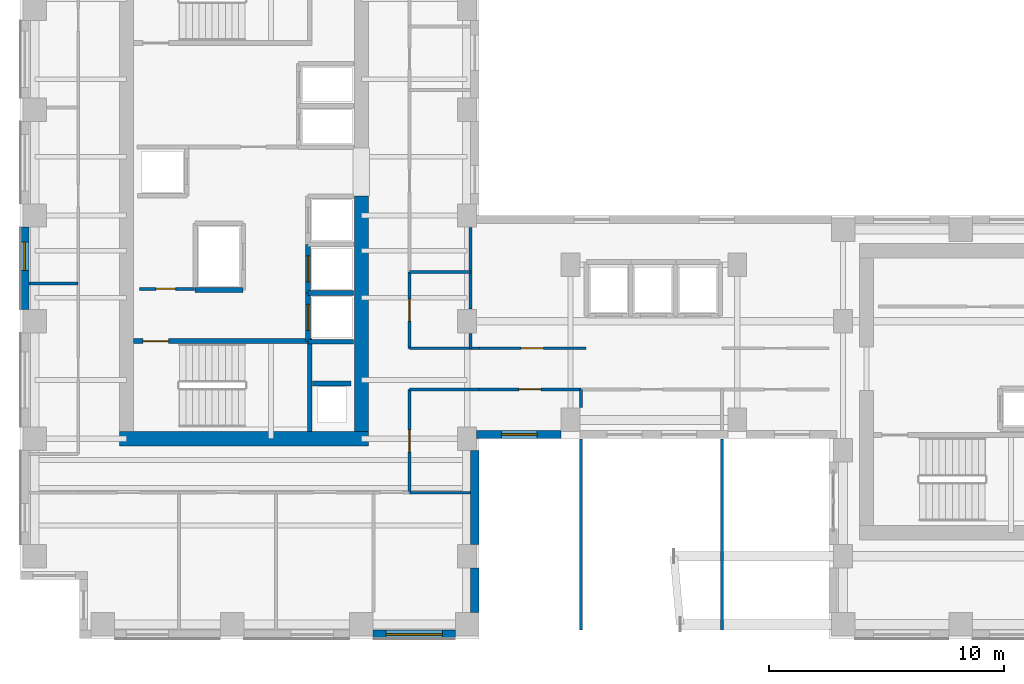
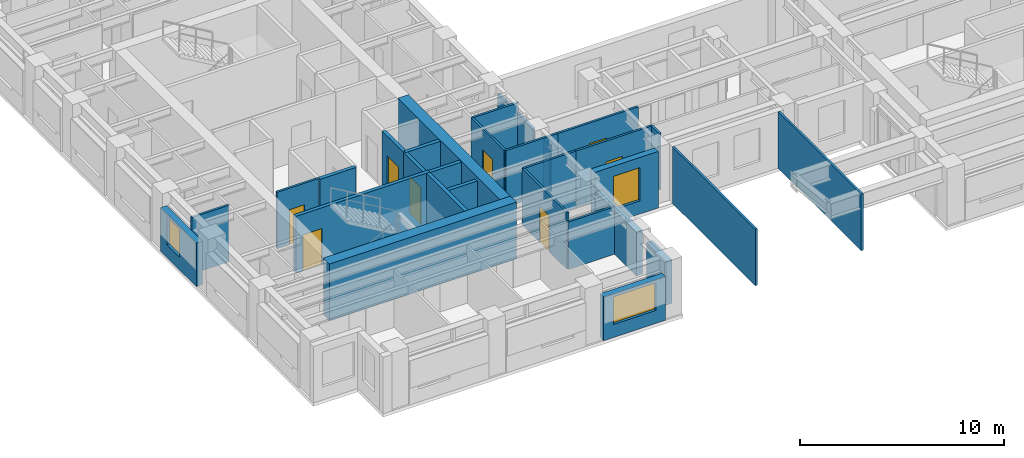
# One storey, part 6 of 13: 30 walls, 8 doors, 3 windows, 11 openings.
"""IFC4 building model written with IfcOpenShell, lengths in metres."""

from ifc_helpers import new_model, si_unit, direction, frame, frame_2d, origin, place, context, subcontext, project, spatial, rectangle, extrude, source, transform, mapped, material, layer, layer_set, type_object, element, fill, save


model = new_model("IFC4")

# Units and contexts
model_context = context("Model", 3, precision=1e-05, world=origin(), true_north=direction((0.0, 1.0)))
body_context = subcontext(model_context, "Body", "Model", "MODEL_VIEW")
ifc_project = project(units=[si_unit("LENGTHUNIT", "METRE"), si_unit("AREAUNIT", "SQUARE_METRE"), si_unit("VOLUMEUNIT", "CUBIC_METRE"), si_unit("PLANEANGLEUNIT", "RADIAN"), si_unit("MASSUNIT", "GRAM", prefix="KILO")], contexts=[model_context])

# Site, building, storey
site_placement = place(None, origin())
site = spatial("IfcSite", under=ifc_project, at=site_placement, CompositionType="ELEMENT")
building_placement = place(site_placement, origin())
building = spatial("IfcBuilding", under=site, at=building_placement, Name="Kharzan Plaza Tower", CompositionType="ELEMENT")
storey_placement = place(building_placement, frame((0.0, 0.0, 189.89990234375)))
storey = spatial("IfcBuildingStorey", under=building, at=storey_placement, Name="L51", CompositionType="ELEMENT", Elevation=189.89990234375)

# Wall, opening, window
ifc_material_1 = material(Name="Concrete C40/50", Category="concrete")
ifc_layer_1 = layer(ifc_material_1, 0.35009765625)
ifc_layer_set_1 = layer_set([ifc_layer_1], Name="Concrete C40/50")
wall_type_1 = type_object("IfcWallType", Name="WL-EXT-MAS-Z3", PredefinedType="SOLIDWALL", material=ifc_layer_set_1)
wall_1_placement = place(storey_placement, frame((0.175048828125, 17.501953125, 0.0), z_axis=(0.0, 0.0, 1.0), x_axis=(0.0, -1.0, 0.0)))
wall_1 = element("IfcWall", 1, at=wall_1_placement, inside=storey, type_object=wall_type_1, Name="L51 Masonry-Frame Exterior Wall 15", PredefinedType="SOLIDWALL", context=body_context, shape_type="SweptSolid", body=[
    extrude(rectangle(XDim=3.50390625, YDim=0.35009765625, at=frame_2d((1.751953125, 0.0))), origin(), (0.0, 0.0, 1.0), 2.612060546875),
])
opening_1_placement = place(wall_1_placement, frame((0.635986328125, 0.0, 0.780029296875)))
opening_1 = element("IfcOpeningElement", 2, at=opening_1_placement, cuts=wall_1, Name="Opening W3", PredefinedType="OPENING", context=body_context, shape_type="SweptSolid", body=[
    extrude(rectangle(XDim=1.199951171875, YDim=1.652099609375, at=frame_2d((0.60009765625, 0.826171875))), frame((0.0, 0.18505859375, 0.0), z_axis=(0.0, -1.0, 0.0), x_axis=(1.0, 0.0, 0.0)), (0.0, 0.0, 1.0), 0.3701171875),
])
ifc_material_2 = material(Name="Low-E Double Glazing", Category="glass")
window_type_1 = type_object("IfcWindowType", Name="WN-REC-1200x2100", PartitioningType="SINGLE_PANEL", PredefinedType="WINDOW", material=ifc_material_2)
shared_shape_1 = source(origin(), body_context, "Body", "SweptSolid", [
    extrude(rectangle(XDim=1.199951171875, YDim=1.652099609375, at=frame_2d((0.60009765625, 0.826171875))), frame((0.0, 0.030029296875, 0.0), z_axis=(0.0, -1.0, 0.0), x_axis=(1.0, 0.0, 0.0)), (0.0, 0.0, 1.0), 0.06005859375),
])
window_1_placement = place(opening_1_placement, origin())
window_1 = element("IfcWindow", 3, at=window_1_placement, inside=storey, type_object=window_type_1, Name="L51 Recessed Solar-Control Window 15-1", OverallHeight=1.652099609375, OverallWidth=1.199951171875, PartitioningType="SINGLE_PANEL", PredefinedType="WINDOW", context=body_context, shape_type="MappedRepresentation", body=[
    mapped(shared_shape_1, transform((0.0, 0.0, 0.0), x_axis=(1.0, 0.0, 0.0), y_axis=(0.0, 1.0, 0.0), z_axis=(0.0, 0.0, 1.0))),
])
fill(opening_1, window_1)

wall_2_placement = place(storey_placement, frame((14.998046875, 0.175048828125, 0.0), z_axis=(0.0, 0.0, 1.0), x_axis=(1.0, 0.0, 0.0)))
wall_2 = element("IfcWall", 4, at=wall_2_placement, inside=storey, type_object=wall_type_1, Name="L51 Masonry-Frame Exterior Wall 23", PredefinedType="SOLIDWALL", context=body_context, shape_type="SweptSolid", body=[
    extrude(rectangle(XDim=3.50390625, YDim=0.35009765625, at=frame_2d((1.751953125, 0.0))), origin(), (0.0, 0.0, 1.0), 2.612060546875),
])
opening_2_placement = place(wall_2_placement, frame((0.552001953125, 0.0, 0.780029296875)))
opening_2 = element("IfcOpeningElement", 5, at=opening_2_placement, cuts=wall_2, Name="Opening W2", PredefinedType="OPENING", context=body_context, shape_type="SweptSolid", body=[
    extrude(rectangle(XDim=2.39990234375, YDim=1.652099609375, at=frame_2d((1.199951171875, 0.826171875))), frame((0.0, 0.18505859375, 0.0), z_axis=(0.0, -1.0, 0.0), x_axis=(1.0, 0.0, 0.0)), (0.0, 0.0, 1.0), 0.3701171875),
])
window_type_2 = type_object("IfcWindowType", Name="WN-REC-2400x2100", PartitioningType="SINGLE_PANEL", PredefinedType="WINDOW", material=ifc_material_2)
shared_shape_2 = source(origin(), body_context, "Body", "SweptSolid", [
    extrude(rectangle(XDim=2.39990234375, YDim=1.652099609375, at=frame_2d((1.199951171875, 0.826171875))), frame((0.0, 0.030029296875, 0.0), z_axis=(0.0, -1.0, 0.0), x_axis=(1.0, 0.0, 0.0)), (0.0, 0.0, 1.0), 0.06005859375),
])
window_2_placement = place(opening_2_placement, origin())
window_2 = element("IfcWindow", 6, at=window_2_placement, inside=storey, type_object=window_type_2, Name="L51 Wide Recessed Solar-Control Window 23-1", OverallHeight=1.652099609375, OverallWidth=2.39990234375, PartitioningType="SINGLE_PANEL", PredefinedType="WINDOW", context=body_context, shape_type="MappedRepresentation", body=[
    mapped(shared_shape_2, transform((0.0, 0.0, 0.0), x_axis=(1.0, 0.0, 0.0), y_axis=(0.0, 1.0, 0.0), z_axis=(0.0, 0.0, 1.0))),
])
fill(opening_2, window_2)

wall_3_placement = place(storey_placement, frame((19.39794921875, 8.675048828125, 0.0), z_axis=(0.0, 0.0, 1.0), x_axis=(1.0, 0.0, 0.0)))
wall_3 = element("IfcWall", 7, at=wall_3_placement, inside=storey, type_object=wall_type_1, Name="L51 Masonry-Frame Exterior Wall 26", PredefinedType="SOLIDWALL", context=body_context, shape_type="SweptSolid", body=[
    extrude(rectangle(XDim=3.60400390625, YDim=0.35009765625, at=frame_2d((1.802001953125, 0.0))), origin(), (0.0, 0.0, 1.0), 3.385009765625),
])
opening_3_placement = place(wall_3_placement, frame((1.067138671875, 0.0, 0.780029296875)))
opening_3 = element("IfcOpeningElement", 8, at=opening_3_placement, cuts=wall_3, Name="Opening W5", PredefinedType="OPENING", context=body_context, shape_type="SweptSolid", body=[
    extrude(rectangle(XDim=1.5, YDim=2.0, at=frame_2d((0.75, 1.0))), frame((0.0, 0.18505859375, 0.0), z_axis=(0.0, -1.0, 0.0), x_axis=(1.0, 0.0, 0.0)), (0.0, 0.0, 1.0), 0.3701171875),
])
window_type_3 = type_object("IfcWindowType", Name="WN-SLT-1500x2000", PartitioningType="SINGLE_PANEL", PredefinedType="WINDOW", material=ifc_material_2)
shared_shape_3 = source(origin(), body_context, "Body", "SweptSolid", [
    extrude(rectangle(XDim=1.5, YDim=2.0, at=frame_2d((0.75, 1.0))), frame((0.0, 0.030029296875, 0.0), z_axis=(0.0, -1.0, 0.0), x_axis=(1.0, 0.0, 0.0)), (0.0, 0.0, 1.0), 0.06005859375),
])
window_3_placement = place(opening_3_placement, origin())
window_3 = element("IfcWindow", 9, at=window_3_placement, inside=storey, type_object=window_type_3, Name="L51 Recessed Solar-Control Window 26-1", OverallHeight=2.0, OverallWidth=1.5, PartitioningType="SINGLE_PANEL", PredefinedType="WINDOW", context=body_context, shape_type="MappedRepresentation", body=[
    mapped(shared_shape_3, transform((0.0, 0.0, 0.0), x_axis=(1.0, 0.0, 0.0), y_axis=(0.0, 1.0, 0.0), z_axis=(0.0, 0.0, 1.0))),
])
fill(opening_3, window_3)

# Wall, opening, door
ifc_material_3 = material(Name="Fire-Rated Gypsum Board Partition", Category="gypsum")
ifc_layer_2 = layer(ifc_material_3, 0.125)
ifc_layer_set_2 = layer_set([ifc_layer_2], Name="Fire-Rated Gypsum Board Partition")
wall_type_2 = type_object("IfcWallType", Name="WL-INT-PART-125", PredefinedType="PARTITIONING", material=ifc_layer_set_2)
wall_4_placement = place(storey_placement, frame((5.050048828125, 14.8798828125, 0.0), z_axis=(0.0, 0.0, 1.0), x_axis=(1.0, 0.0, 0.0)))
wall_4 = element("IfcWall", 10, at=wall_4_placement, inside=storey, type_object=wall_type_2, Name="L51 Interior Partition CA-K0", PredefinedType="PARTITIONING", context=body_context, shape_type="SweptSolid", body=[
    extrude(rectangle(XDim=2.349853515625, YDim=0.125, at=frame_2d((1.1748046875, 0.0))), origin(), (0.0, 0.0, 1.0), 3.385009765625),
])
opening_4_placement = place(wall_4_placement, frame((0.699951171875, 0.0, 0.0)))
opening_4 = element("IfcOpeningElement", 11, at=opening_4_placement, cuts=wall_4, Name="Opening RD1", PredefinedType="OPENING", context=body_context, shape_type="SweptSolid", body=[
    extrude(rectangle(XDim=0.85009765625, YDim=2.10009765625, at=frame_2d((0.425048828125, 1.050048828125))), frame((0.0, 0.072509765625, 0.0), z_axis=(0.0, -1.0, 0.0), x_axis=(1.0, 0.0, 0.0)), (0.0, 0.0, 1.0), 0.14501953125),
])
ifc_material_4 = material(Name="Powder-Coated Fire-Rated Steel", Category="steel")
door_type_1 = type_object("IfcDoorType", Name="DR-RISER-900", OperationType="NOTDEFINED", PredefinedType="DOOR", material=ifc_material_4)
shared_shape_4 = source(origin(), body_context, "Body", "SweptSolid", [
    extrude(rectangle(XDim=0.85009765625, YDim=2.10009765625, at=frame_2d((0.425048828125, 1.050048828125))), frame((0.0, 0.02490234375, 0.0), z_axis=(0.0, -1.0, 0.0), x_axis=(1.0, 0.0, 0.0)), (0.0, 0.0, 1.0), 0.050048828125),
])
door_1_placement = place(opening_4_placement, origin())
door_1 = element("IfcDoor", 12, at=door_1_placement, inside=storey, type_object=door_type_1, Name="L51 Cleaners Store Door", OperationType="SINGLE_SWING_LEFT", OverallHeight=2.10009765625, OverallWidth=0.85009765625, PredefinedType="DOOR", context=body_context, shape_type="MappedRepresentation", body=[
    mapped(shared_shape_4, transform((0.0, 0.0, 0.0), x_axis=(1.0, 0.0, 0.0), y_axis=(0.0, 1.0, 0.0), z_axis=(0.0, 0.0, 1.0))),
])
fill(opening_4, door_1)

wall_5_placement = place(storey_placement, frame((16.550048828125, 12.35009765625, 0.0), z_axis=(0.0, 0.0, 1.0), x_axis=(0.0, 1.0, 0.0)))
wall_5 = element("IfcWall", 13, at=wall_5_placement, inside=storey, type_object=wall_type_2, Name="L51 Interior Partition SH-AEWN1", PredefinedType="PARTITIONING", context=body_context, shape_type="SweptSolid", body=[
    extrude(rectangle(XDim=3.25, YDim=0.125, at=frame_2d((1.625, 0.0))), origin(), (0.0, 0.0, 1.0), 3.385009765625),
])
opening_5_placement = place(wall_5_placement, frame((1.14990234375, 0.0, 0.0)))
opening_5 = element("IfcOpeningElement", 14, at=opening_5_placement, cuts=wall_5, Name="Opening OD1", PredefinedType="OPENING", context=body_context, shape_type="SweptSolid", body=[
    extrude(rectangle(XDim=0.949951171875, YDim=2.14990234375, at=frame_2d((0.47509765625, 1.074951171875))), frame((0.0, 0.072509765625, 0.0), z_axis=(0.0, -1.0, 0.0), x_axis=(1.0, 0.0, 0.0)), (0.0, 0.0, 1.0), 0.14501953125),
])
ifc_material_5 = material(Name="Acoustic Solid-Core Stained Oak", Category="timber")
door_type_2 = type_object("IfcDoorType", Name="DR-OFF-SINGLE", OperationType="NOTDEFINED", PredefinedType="DOOR", material=ifc_material_5)
shared_shape_5 = source(origin(), body_context, "Body", "SweptSolid", [
    extrude(rectangle(XDim=0.949951171875, YDim=2.14990234375, at=frame_2d((0.47509765625, 1.074951171875))), frame((0.0, 0.02490234375, 0.0), z_axis=(0.0, -1.0, 0.0), x_axis=(1.0, 0.0, 0.0)), (0.0, 0.0, 1.0), 0.050048828125),
])
door_2_placement = place(opening_5_placement, origin())
door_2 = element("IfcDoor", 15, at=door_2_placement, inside=storey, type_object=door_type_2, Name="L51 Slot Collaboration Door", OperationType="SINGLE_SWING_LEFT", OverallHeight=2.14990234375, OverallWidth=0.949951171875, PredefinedType="DOOR", context=body_context, shape_type="MappedRepresentation", body=[
    mapped(shared_shape_5, transform((0.0, 0.0, 0.0), x_axis=(1.0, 0.0, 0.0), y_axis=(0.0, 1.0, 0.0), z_axis=(0.0, 0.0, 1.0))),
])
fill(opening_5, door_2)

wall_6_placement = place(storey_placement, frame((16.550048828125, 6.199951171875, 0.0), z_axis=(0.0, 0.0, 1.0), x_axis=(0.0, 1.0, 0.0)))
wall_6 = element("IfcWall", 16, at=wall_6_placement, inside=storey, type_object=wall_type_2, Name="L51 Interior Partition SH-AEWS", PredefinedType="PARTITIONING", context=body_context, shape_type="SweptSolid", body=[
    extrude(rectangle(XDim=4.400146484375, YDim=0.125, at=frame_2d((2.2001953125, 0.0))), origin(), (0.0, 0.0, 1.0), 3.385009765625),
])
opening_6_placement = place(wall_6_placement, frame((1.72509765625, 0.0, 0.0)))
opening_6 = element("IfcOpeningElement", 17, at=opening_6_placement, cuts=wall_6, Name="Opening OD1", PredefinedType="OPENING", context=body_context, shape_type="SweptSolid", body=[
    extrude(rectangle(XDim=0.949951171875, YDim=2.14990234375, at=frame_2d((0.47509765625, 1.074951171875))), frame((0.0, 0.072509765625, 0.0), z_axis=(0.0, -1.0, 0.0), x_axis=(1.0, 0.0, 0.0)), (0.0, 0.0, 1.0), 0.14501953125),
])
door_3_placement = place(opening_6_placement, origin())
door_3 = element("IfcDoor", 18, at=door_3_placement, inside=storey, type_object=door_type_2, Name="L51 Slot South Office Door", OperationType="SINGLE_SWING_RIGHT", OverallHeight=2.14990234375, OverallWidth=0.949951171875, PredefinedType="DOOR", context=body_context, shape_type="MappedRepresentation", body=[
    mapped(shared_shape_5, transform((0.0, 0.0, 0.0), x_axis=(1.0, 0.0, 0.0), y_axis=(0.0, 1.0, 0.0), z_axis=(0.0, 0.0, 1.0))),
])
fill(opening_6, door_3)

wall_7_placement = place(storey_placement, frame((19.5, 12.35009765625, 0.0), z_axis=(0.0, 0.0, 1.0), x_axis=(1.0, 0.0, 0.0)))
wall_7 = element("IfcWall", 19, at=wall_7_placement, inside=storey, type_object=wall_type_2, Name="L51 Interior Partition SH-SPNW1", PredefinedType="PARTITIONING", context=body_context, shape_type="SweptSolid", body=[
    extrude(rectangle(XDim=4.550048828125, YDim=0.125, at=frame_2d((2.27490234375, 0.0))), origin(), (0.0, 0.0, 1.0), 3.385009765625),
])
opening_7_placement = place(wall_7_placement, frame((1.800048828125, 0.0, 0.0)))
opening_7 = element("IfcOpeningElement", 20, at=opening_7_placement, cuts=wall_7, Name="Opening OD1", PredefinedType="OPENING", context=body_context, shape_type="SweptSolid", body=[
    extrude(rectangle(XDim=0.949951171875, YDim=2.14990234375, at=frame_2d((0.47509765625, 1.074951171875))), frame((0.0, 0.072509765625, 0.0), z_axis=(0.0, -1.0, 0.0), x_axis=(1.0, 0.0, 0.0)), (0.0, 0.0, 1.0), 0.14501953125),
])
door_4_placement = place(opening_7_placement, origin())
door_4 = element("IfcDoor", 21, at=door_4_placement, inside=storey, type_object=door_type_2, Name="L51 North-West Spine Door", OperationType="SINGLE_SWING_RIGHT", OverallHeight=2.14990234375, OverallWidth=0.949951171875, PredefinedType="DOOR", context=body_context, shape_type="MappedRepresentation", body=[
    mapped(shared_shape_5, transform((0.0, 0.0, 0.0), x_axis=(1.0, 0.0, 0.0), y_axis=(0.0, 1.0, 0.0), z_axis=(0.0, 0.0, 1.0))),
])
fill(opening_7, door_4)

wall_8_placement = place(storey_placement, frame((19.5, 10.60009765625, 0.0), z_axis=(0.0, 0.0, 1.0), x_axis=(1.0, 0.0, 0.0)))
wall_8 = element("IfcWall", 22, at=wall_8_placement, inside=storey, type_object=wall_type_2, Name="L51 Interior Partition SH-SPS1", PredefinedType="PARTITIONING", context=body_context, shape_type="SweptSolid", body=[
    extrude(rectangle(XDim=4.35009765625, YDim=0.125, at=frame_2d((2.175048828125, 0.0))), origin(), (0.0, 0.0, 1.0), 3.385009765625),
])
opening_8_placement = place(wall_8_placement, frame((1.699951171875, 0.0, 0.0)))
opening_8 = element("IfcOpeningElement", 23, at=opening_8_placement, cuts=wall_8, Name="Opening OD1", PredefinedType="OPENING", context=body_context, shape_type="SweptSolid", body=[
    extrude(rectangle(XDim=0.949951171875, YDim=2.14990234375, at=frame_2d((0.47509765625, 1.074951171875))), frame((0.0, 0.072509765625, 0.0), z_axis=(0.0, -1.0, 0.0), x_axis=(1.0, 0.0, 0.0)), (0.0, 0.0, 1.0), 0.14501953125),
])
door_5_placement = place(opening_8_placement, origin())
door_5 = element("IfcDoor", 24, at=door_5_placement, inside=storey, type_object=door_type_2, Name="L51 Spine Studio 1 Door", OperationType="SINGLE_SWING_LEFT", OverallHeight=2.14990234375, OverallWidth=0.949951171875, PredefinedType="DOOR", context=body_context, shape_type="MappedRepresentation", body=[
    mapped(shared_shape_5, transform((0.0, 0.0, 0.0), x_axis=(1.0, 0.0, 0.0), y_axis=(0.0, 1.0, 0.0), z_axis=(0.0, 0.0, 1.0))),
])
fill(opening_8, door_5)

ifc_layer_3 = layer(ifc_material_1, 0.199951171875)
ifc_layer_set_3 = layer_set([ifc_layer_3], Name="Concrete C40/50")
wall_type_3 = type_object("IfcWallType", Name="WL-INT-SHAFT-200", PredefinedType="PARTITIONING", material=ifc_layer_set_3)
wall_9_placement = place(storey_placement, frame((12.22998046875, 12.6298828125, 0.0), z_axis=(0.0, 0.0, 1.0), x_axis=(0.0, 1.0, 0.0)))
wall_9 = element("IfcWall", 25, at=wall_9_placement, inside=storey, type_object=wall_type_3, Name="L51 Interior Partition SHF-PL-H1-W", PredefinedType="PARTITIONING", context=body_context, shape_type="SweptSolid", body=[
    extrude(rectangle(XDim=2.070068359375, YDim=0.199951171875, at=frame_2d((1.03515625, 0.0))), origin(), (0.0, 0.0, 1.0), 3.385009765625),
])
opening_9_placement = place(wall_9_placement, frame((0.485107421875, 0.0, 0.0)))
opening_9 = element("IfcOpeningElement", 26, at=opening_9_placement, cuts=wall_9, Name="Opening LD", PredefinedType="OPENING", context=body_context, shape_type="SweptSolid", body=[
    extrude(rectangle(XDim=1.10009765625, YDim=2.199951171875, at=frame_2d((0.550048828125, 1.10009765625))), frame((0.0, 0.10986328125, 0.0), z_axis=(0.0, -1.0, 0.0), x_axis=(1.0, 0.0, 0.0)), (0.0, 0.0, 1.0), 0.219970703125),
])
ifc_material_6 = material(Name="Brushed Stainless Steel", Category="steel")
door_type_3 = type_object("IfcDoorType", Name="DR-LIFT-SLIDE", OperationType="SLIDING_TO_LEFT", PredefinedType="DOOR", material=ifc_material_6)
shared_shape_6 = source(origin(), body_context, "Body", "SweptSolid", [
    extrude(rectangle(XDim=1.10009765625, YDim=2.199951171875, at=frame_2d((0.550048828125, 1.10009765625))), frame((0.0, 0.02490234375, 0.0), z_axis=(0.0, -1.0, 0.0), x_axis=(1.0, 0.0, 0.0)), (0.0, 0.0, 1.0), 0.050048828125),
])
door_6_placement = place(opening_9_placement, origin())
door_6 = element("IfcDoor", 27, at=door_6_placement, inside=storey, type_object=door_type_3, Name="L51 High-Rise Passenger Lift PL-H1 Sliding Landing Door", OperationType="SLIDING_TO_LEFT", OverallHeight=2.199951171875, OverallWidth=1.10009765625, PredefinedType="DOOR", context=body_context, shape_type="MappedRepresentation", body=[
    mapped(shared_shape_6, transform((0.0, 0.0, 0.0), x_axis=(1.0, 0.0, 0.0), y_axis=(0.0, 1.0, 0.0), z_axis=(0.0, 0.0, 1.0))),
])
fill(opening_9, door_6)

wall_10_placement = place(storey_placement, frame((12.22998046875, 14.699951171875, 0.0), z_axis=(0.0, 0.0, 1.0), x_axis=(0.0, 1.0, 0.0)))
wall_10 = element("IfcWall", 28, at=wall_10_placement, inside=storey, type_object=wall_type_3, Name="L51 Interior Partition SHF-PL-H2-W", PredefinedType="PARTITIONING", context=body_context, shape_type="SweptSolid", body=[
    extrude(rectangle(XDim=2.070068359375, YDim=0.199951171875, at=frame_2d((1.03515625, 0.0))), origin(), (0.0, 0.0, 1.0), 3.385009765625),
])
opening_10_placement = place(wall_10_placement, frame((0.485107421875, 0.0, 0.0)))
opening_10 = element("IfcOpeningElement", 29, at=opening_10_placement, cuts=wall_10, Name="Opening LD", PredefinedType="OPENING", context=body_context, shape_type="SweptSolid", body=[
    extrude(rectangle(XDim=1.10009765625, YDim=2.199951171875, at=frame_2d((0.550048828125, 1.10009765625))), frame((0.0, 0.10986328125, 0.0), z_axis=(0.0, -1.0, 0.0), x_axis=(1.0, 0.0, 0.0)), (0.0, 0.0, 1.0), 0.219970703125),
])
door_7_placement = place(opening_10_placement, origin())
door_7 = element("IfcDoor", 30, at=door_7_placement, inside=storey, type_object=door_type_3, Name="L51 High-Rise Passenger Lift PL-H2 Sliding Landing Door", OperationType="SLIDING_TO_LEFT", OverallHeight=2.199951171875, OverallWidth=1.10009765625, PredefinedType="DOOR", context=body_context, shape_type="MappedRepresentation", body=[
    mapped(shared_shape_6, transform((0.0, 0.0, 0.0), x_axis=(1.0, 0.0, 0.0), y_axis=(0.0, 1.0, 0.0), z_axis=(0.0, 0.0, 1.0))),
])
fill(opening_10, door_7)

ifc_material_7 = material(Name="Concrete C50/60", Category="concrete")
ifc_layer_4 = layer(ifc_material_7, 0.199951171875)
ifc_layer_set_4 = layer_set([ifc_layer_4], Name="Concrete C50/60")
wall_type_4 = type_object("IfcWallType", Name="WL-SHAFT-RC200", PredefinedType="SHEAR", material=ifc_layer_set_4)
wall_11_placement = place(storey_placement, frame((4.802001953125, 12.655029296875, 0.0), z_axis=(0.0, 0.0, 1.0), x_axis=(1.0, 0.0, 0.0)))
wall_11 = element("IfcWall", 31, at=wall_11_placement, inside=storey, type_object=wall_type_4, Name="L51 Stair ST-1 North RC Shaft Wall", PredefinedType="SHEAR", context=body_context, shape_type="SweptSolid", body=[
    extrude(rectangle(XDim=7.60302734375, YDim=0.199951171875, at=frame_2d((3.801513671875, 0.0))), origin(), (0.0, 0.0, 1.0), 3.400146484375),
])
opening_11_placement = place(wall_11_placement, frame((0.39990234375, 0.0, 0.0)))
opening_11 = element("IfcOpeningElement", 32, at=opening_11_placement, cuts=wall_11, Name="Opening SD1", PredefinedType="OPENING", context=body_context, shape_type="SweptSolid", body=[
    extrude(rectangle(XDim=1.10009765625, YDim=2.14990234375, at=frame_2d((0.550048828125, 1.074951171875))), frame((0.0, 0.10986328125, 0.0), z_axis=(0.0, -1.0, 0.0), x_axis=(1.0, 0.0, 0.0)), (0.0, 0.0, 1.0), 0.219970703125),
])
ifc_material_8 = material(Name="Fire-Rated Hollow Galvanized Steel", Category="steel")
door_type_4 = type_object("IfcDoorType", Name="DR-STAIR-FD120", OperationType="NOTDEFINED", PredefinedType="DOOR", material=ifc_material_8)
shared_shape_7 = source(origin(), body_context, "Body", "SweptSolid", [
    extrude(rectangle(XDim=1.10009765625, YDim=2.14990234375, at=frame_2d((0.550048828125, 1.074951171875))), frame((0.0, 0.02490234375, 0.0), z_axis=(0.0, -1.0, 0.0), x_axis=(1.0, 0.0, 0.0)), (0.0, 0.0, 1.0), 0.050048828125),
])
door_8_placement = place(opening_11_placement, origin())
door_8 = element("IfcDoor", 33, at=door_8_placement, inside=storey, type_object=door_type_4, Name="L51 Stair ST-1 Fire Exit Door", OperationType="SINGLE_SWING_RIGHT", OverallHeight=2.14990234375, OverallWidth=1.10009765625, PredefinedType="DOOR", context=body_context, shape_type="MappedRepresentation", body=[
    mapped(shared_shape_7, transform((0.0, 0.0, 0.0), x_axis=(1.0, 0.0, 0.0), y_axis=(0.0, 1.0, 0.0), z_axis=(0.0, 0.0, 1.0))),
])
fill(opening_11, door_8)

# Walls
shared_shape_8 = source(origin(), body_context, "Body", "SweptSolid", [
    extrude(rectangle(XDim=2.097900390625, YDim=0.125, at=frame_2d((1.048828125, 0.0))), origin(), (0.0, 0.0, 1.0), 3.385009765625),
])
wall_12_placement = place(storey_placement, frame((0.35205078125, 15.10009765625, 0.0), z_axis=(0.0, 0.0, 1.0), x_axis=(1.0, 0.0, 0.0)))
element("IfcWall", 34, at=wall_12_placement, inside=storey, type_object=wall_type_2, Name="L51 Interior Partition SH-WH-1", PredefinedType="PARTITIONING", context=body_context, shape_type="MappedRepresentation", body=[
    mapped(shared_shape_8, transform((0.0, 0.0, 0.0), x_axis=(1.0, 0.0, 0.0), y_axis=(0.0, 1.0, 0.0), z_axis=(0.0, 0.0, 1.0))),
])
shared_shape_9 = source(origin(), body_context, "Body", "SweptSolid", [
    extrude(rectangle(XDim=1.630126953125, YDim=0.199951171875, at=frame_2d((0.81494140625, 0.0))), origin(), (0.0, 0.0, 1.0), 3.385009765625),
])
wall_13_placement = place(storey_placement, frame((12.419921875, 10.85009765625, 0.0), z_axis=(0.0, 0.0, 1.0), x_axis=(1.0, 0.0, 0.0)))
element("IfcWall", 35, at=wall_13_placement, inside=storey, type_object=wall_type_3, Name="L51 Interior Partition CA-RSRA-N", PredefinedType="PARTITIONING", context=body_context, shape_type="MappedRepresentation", body=[
    mapped(shared_shape_9, transform((0.0, 0.0, 0.0), x_axis=(1.0, 0.0, 0.0), y_axis=(0.0, 1.0, 0.0), z_axis=(0.0, 0.0, 1.0))),
])
shared_shape_10 = source(origin(), body_context, "Body", "SweptSolid", [
    extrude(rectangle(XDim=1.93994140625, YDim=0.199951171875, at=frame_2d((0.969970703125, 0.0))), origin(), (0.0, 0.0, 1.0), 3.385009765625),
])
for number, where, z_axis, x_axis, name in (
    (36, (12.22998046875, 14.699951171875, 0.0), (0.0, 0.0, 1.0), (1.0, 0.0, 0.0), "L51 Interior Partition SHF-PL-H1-N"),
    (37, (12.22998046875, 12.6298828125, 0.0), (0.0, 0.0, 1.0), (1.0, 0.0, 0.0), "L51 Interior Partition SHF-PL-H1-S"),
):
    element("IfcWall", number, at=place(storey_placement, frame(where, z_axis=z_axis, x_axis=x_axis)), inside=storey, type_object=wall_type_3, Name=name, PredefinedType="PARTITIONING", context=body_context, shape_type="MappedRepresentation", body=[
        mapped(shared_shape_10, transform((0.0, 0.0, 0.0), x_axis=(1.0, 0.0, 0.0), y_axis=(0.0, 1.0, 0.0), z_axis=(0.0, 0.0, 1.0))),
    ])
shared_shape_11 = source(origin(), body_context, "Body", "SweptSolid", [
    extrude(rectangle(XDim=2.0400390625, YDim=0.199951171875, at=frame_2d((1.02001953125, 0.0))), origin(), (0.0, 0.0, 1.0), 3.385009765625),
])
wall_14_placement = place(storey_placement, frame((7.429931640625, 14.830078125, 0.0), z_axis=(0.0, 0.0, 1.0), x_axis=(1.0, 0.0, 0.0)))
element("IfcWall", 38, at=wall_14_placement, inside=storey, type_object=wall_type_3, Name="L51 Interior Partition SHF-SVL-1-S", PredefinedType="PARTITIONING", context=body_context, shape_type="MappedRepresentation", body=[
    mapped(shared_shape_11, transform((0.0, 0.0, 0.0), x_axis=(1.0, 0.0, 0.0), y_axis=(0.0, 1.0, 0.0), z_axis=(0.0, 0.0, 1.0))),
])
ifc_layer_5 = layer(ifc_material_7, 0.60009765625)
ifc_layer_set_5 = layer_set([ifc_layer_5], Name="Concrete C50/60")
wall_type_5 = type_object("IfcWallType", Name="WL-CORE-600", PredefinedType="SHEAR", material=ifc_layer_set_5)
shared_shape_12 = source(origin(), body_context, "Body", "SweptSolid", [
    extrude(rectangle(XDim=10.02001953125, YDim=0.60009765625, at=frame_2d((5.010009765625, 0.0))), origin(), (0.0, 0.0, 1.0), 3.400146484375),
])
wall_15_placement = place(storey_placement, frame((14.5, 8.800048828125, 0.0), z_axis=(0.0, 0.0, 1.0), x_axis=(0.0, 1.0, 0.0)))
element("IfcWall", 39, at=wall_15_placement, inside=storey, type_object=wall_type_5, Name="L51 CORE-A east shear pier 1", PredefinedType="SHEAR", context=body_context, shape_type="MappedRepresentation", body=[
    mapped(shared_shape_12, transform((0.0, 0.0, 0.0), x_axis=(1.0, 0.0, 0.0), y_axis=(0.0, 1.0, 0.0), z_axis=(0.0, 0.0, 1.0))),
])
shared_shape_13 = source(origin(), body_context, "Body", "SweptSolid", [
    extrude(rectangle(XDim=10.60009765625, YDim=0.60009765625, at=frame_2d((5.300048828125, 0.0))), origin(), (0.0, 0.0, 1.0), 3.400146484375),
])
wall_16_placement = place(storey_placement, frame((4.199951171875, 8.5, 0.0), z_axis=(0.0, 0.0, 1.0), x_axis=(1.0, 0.0, 0.0)))
element("IfcWall", 40, at=wall_16_placement, inside=storey, type_object=wall_type_5, Name="L51 CORE-A south RC shear wall", PredefinedType="SHEAR", context=body_context, shape_type="MappedRepresentation", body=[
    mapped(shared_shape_13, transform((0.0, 0.0, 0.0), x_axis=(1.0, 0.0, 0.0), y_axis=(0.0, 1.0, 0.0), z_axis=(0.0, 0.0, 1.0))),
])
shared_shape_14 = source(origin(), body_context, "Body", "SweptSolid", [
    extrude(rectangle(XDim=1.904052734375, YDim=0.35009765625, at=frame_2d((0.9521484375, 0.0))), origin(), (0.0, 0.0, 1.0), 2.612060546875),
])
wall_17_placement = place(storey_placement, frame((19.324951171875, 1.097900390625, 0.0), z_axis=(0.0, 0.0, 1.0), x_axis=(0.0, 1.0, 0.0)))
element("IfcWall", 41, at=wall_17_placement, inside=storey, type_object=wall_type_1, Name="L51 Masonry-Frame Exterior Wall 24", PredefinedType="SOLIDWALL", context=body_context, shape_type="MappedRepresentation", body=[
    mapped(shared_shape_14, transform((0.0, 0.0, 0.0), x_axis=(1.0, 0.0, 0.0), y_axis=(0.0, 1.0, 0.0), z_axis=(0.0, 0.0, 1.0))),
])
shared_shape_15 = source(origin(), body_context, "Body", "SweptSolid", [
    extrude(rectangle(XDim=2.949951171875, YDim=0.125, at=frame_2d((1.47509765625, 0.0))), origin(), (0.0, 0.0, 1.0), 3.385009765625),
])
for number, where, z_axis, x_axis, name in (
    (42, (16.550048828125, 12.35009765625, 0.0), (0.0, 0.0, 1.0), (1.0, 0.0, 0.0), "L51 Interior Partition SH-SPNW0"),
    (43, (16.550048828125, 10.60009765625, 0.0), (0.0, 0.0, 1.0), (1.0, 0.0, 0.0), "L51 Interior Partition SH-SPS0"),
):
    element("IfcWall", number, at=place(storey_placement, frame(where, z_axis=z_axis, x_axis=x_axis)), inside=storey, type_object=wall_type_2, Name=name, PredefinedType="PARTITIONING", context=body_context, shape_type="MappedRepresentation", body=[
        mapped(shared_shape_15, transform((0.0, 0.0, 0.0), x_axis=(1.0, 0.0, 0.0), y_axis=(0.0, 1.0, 0.0), z_axis=(0.0, 0.0, 1.0))),
    ])
shared_shape_16 = source(origin(), body_context, "Body", "SweptSolid", [
    extrude(rectangle(XDim=2.599853515625, YDim=0.125, at=frame_2d((1.2998046875, 0.0))), origin(), (0.0, 0.0, 1.0), 3.385009765625),
])
wall_18_placement = place(storey_placement, frame((16.550048828125, 15.60009765625, 0.0), z_axis=(0.0, 0.0, 1.0), x_axis=(1.0, 0.0, 0.0)))
element("IfcWall", 44, at=wall_18_placement, inside=storey, type_object=wall_type_2, Name="L51 Interior Partition SH-AEH-156", PredefinedType="PARTITIONING", context=body_context, shape_type="MappedRepresentation", body=[
    mapped(shared_shape_16, transform((0.0, 0.0, 0.0), x_axis=(1.0, 0.0, 0.0), y_axis=(0.0, 1.0, 0.0), z_axis=(0.0, 0.0, 1.0))),
])
shared_shape_17 = source(origin(), body_context, "Body", "SweptSolid", [
    extrude(rectangle(XDim=3.7529296875, YDim=0.199951171875, at=frame_2d((1.87646484375, 0.0))), origin(), (0.0, 0.0, 1.0), 3.400146484375),
])
wall_19_placement = place(storey_placement, frame((12.304931640625, 8.802001953125, 0.0), z_axis=(0.0, 0.0, 1.0), x_axis=(0.0, 1.0, 0.0)))
element("IfcWall", 45, at=wall_19_placement, inside=storey, type_object=wall_type_4, Name="L51 Stair ST-1 East RC Shaft Wall", PredefinedType="SHEAR", context=body_context, shape_type="MappedRepresentation", body=[
    mapped(shared_shape_17, transform((0.0, 0.0, 0.0), x_axis=(1.0, 0.0, 0.0), y_axis=(0.0, 1.0, 0.0), z_axis=(0.0, 0.0, 1.0))),
])
shared_shape_18 = source(origin(), body_context, "Body", "SweptSolid", [
    extrude(rectangle(XDim=0.780029296875, YDim=0.125, at=frame_2d((0.39013671875, 0.0))), origin(), (0.0, 0.0, 1.0), 3.385009765625),
])
wall_20_placement = place(storey_placement, frame((23.85009765625, 9.820068359375, 0.0), z_axis=(0.0, 0.0, 1.0), x_axis=(0.0, 1.0, 0.0)))
element("IfcWall", 46, at=wall_20_placement, inside=storey, type_object=wall_type_2, Name="L51 Interior Partition SH-SPSV1-S2", PredefinedType="PARTITIONING", context=body_context, shape_type="MappedRepresentation", body=[
    mapped(shared_shape_18, transform((0.0, 0.0, 0.0), x_axis=(1.0, 0.0, 0.0), y_axis=(0.0, 1.0, 0.0), z_axis=(0.0, 0.0, 1.0))),
])
shared_shape_19 = source(origin(), body_context, "Body", "SweptSolid", [
    extrude(rectangle(XDim=4.00390625, YDim=0.35009765625, at=frame_2d((2.001953125, 0.0))), origin(), (0.0, 0.0, 1.0), 2.612060546875),
])
wall_21_placement = place(storey_placement, frame((19.324951171875, 3.998046875, 0.0), z_axis=(0.0, 0.0, 1.0), x_axis=(0.0, 1.0, 0.0)))
element("IfcWall", 47, at=wall_21_placement, inside=storey, type_object=wall_type_1, Name="L51 Masonry-Frame Exterior Wall 25", PredefinedType="SOLIDWALL", context=body_context, shape_type="MappedRepresentation", body=[
    mapped(shared_shape_19, transform((0.0, 0.0, 0.0), x_axis=(1.0, 0.0, 0.0), y_axis=(0.0, 1.0, 0.0), z_axis=(0.0, 0.0, 1.0))),
])
shared_shape_20 = source(origin(), body_context, "Body", "SweptSolid", [
    extrude(rectangle(XDim=0.6298828125, YDim=0.125, at=frame_2d((0.31494140625, 0.0))), origin(), (0.0, 0.0, 1.0), 2.773193359375),
])
wall_22_placement = place(storey_placement, frame((19.14990234375, 12.35009765625, 0.0), z_axis=(0.0, 0.0, 1.0), x_axis=(0.0, 1.0, 0.0)))
element("IfcWall", 48, at=wall_22_placement, inside=storey, type_object=wall_type_2, Name="L51 Interior Partition SH-AEN-DIV-S1", PredefinedType="PARTITIONING", context=body_context, shape_type="MappedRepresentation", body=[
    mapped(shared_shape_20, transform((0.0, 0.0, 0.0), x_axis=(1.0, 0.0, 0.0), y_axis=(0.0, 1.0, 0.0), z_axis=(0.0, 0.0, 1.0))),
])
shared_shape_21 = source(origin(), body_context, "Body", "SweptSolid", [
    extrude(rectangle(XDim=3.4599609375, YDim=0.125, at=frame_2d((1.72998046875, 0.0))), origin(), (0.0, 0.0, 1.0), 2.773193359375),
])
wall_23_placement = place(storey_placement, frame((19.14990234375, 14.02001953125, 0.0), z_axis=(0.0, 0.0, 1.0), x_axis=(0.0, 1.0, 0.0)))
element("IfcWall", 49, at=wall_23_placement, inside=storey, type_object=wall_type_2, Name="L51 Interior Partition SH-AEN-DIV-S2", PredefinedType="PARTITIONING", context=body_context, shape_type="MappedRepresentation", body=[
    mapped(shared_shape_21, transform((0.0, 0.0, 0.0), x_axis=(1.0, 0.0, 0.0), y_axis=(0.0, 1.0, 0.0), z_axis=(0.0, 0.0, 1.0))),
])
shared_shape_22 = source(origin(), body_context, "Body", "SweptSolid", [
    extrude(rectangle(XDim=2.597900390625, YDim=0.125, at=frame_2d((1.298828125, 0.0))), origin(), (0.0, 0.0, 1.0), 2.84814453125),
])
wall_24_placement = place(storey_placement, frame((16.550048828125, 6.199951171875, 0.0), z_axis=(0.0, 0.0, 1.0), x_axis=(1.0, 0.0, 0.0)))
element("IfcWall", 50, at=wall_24_placement, inside=storey, type_object=wall_type_2, Name="L51 Interior Partition SH-SSE-4", PredefinedType="PARTITIONING", context=body_context, shape_type="MappedRepresentation", body=[
    mapped(shared_shape_22, transform((0.0, 0.0, 0.0), x_axis=(1.0, 0.0, 0.0), y_axis=(0.0, 1.0, 0.0), z_axis=(0.0, 0.0, 1.0))),
])
shared_shape_23 = source(origin(), body_context, "Body", "SweptSolid", [
    extrude(rectangle(XDim=8.14794921875, YDim=0.125, at=frame_2d((4.073974609375, 0.0))), origin(), (0.0, 0.0, 1.0), 3.385009765625),
])
for number, where, z_axis, x_axis, name in (
    (51, (23.85009765625, 0.35009765625, 0.0), (0.0, 0.0, 1.0), (0.0, 1.0, 0.0), "L51 Interior Partition SH-SPSV1-S1"),
    (52, (29.85009765625, 0.35009765625, 0.0), (0.0, 0.0, 1.0), (0.0, 1.0, 0.0), "L51 Interior Partition SH-SPSV2-S1"),
):
    element("IfcWall", number, at=place(storey_placement, frame(where, z_axis=z_axis, x_axis=x_axis)), inside=storey, type_object=wall_type_2, Name=name, PredefinedType="PARTITIONING", context=body_context, shape_type="MappedRepresentation", body=[
        mapped(shared_shape_23, transform((0.0, 0.0, 0.0), x_axis=(1.0, 0.0, 0.0), y_axis=(0.0, 1.0, 0.0), z_axis=(0.0, 0.0, 1.0))),
    ])

save(model, "model.ifc")
